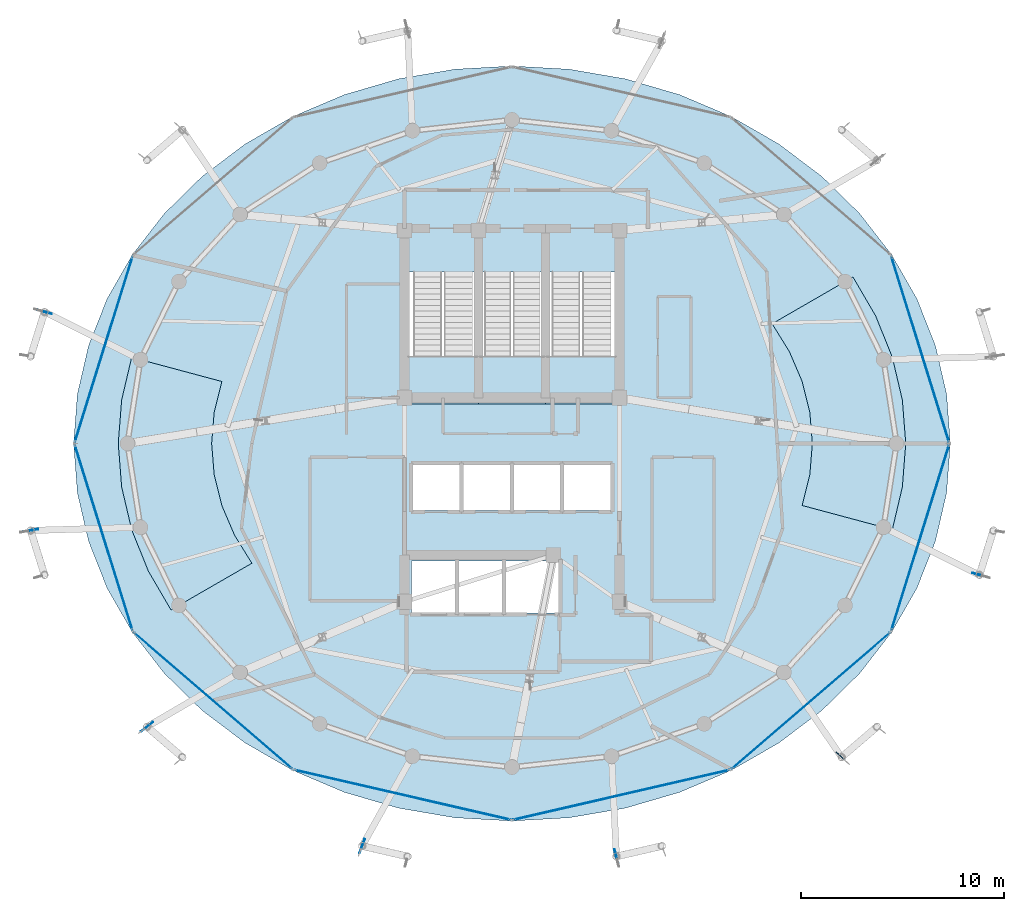
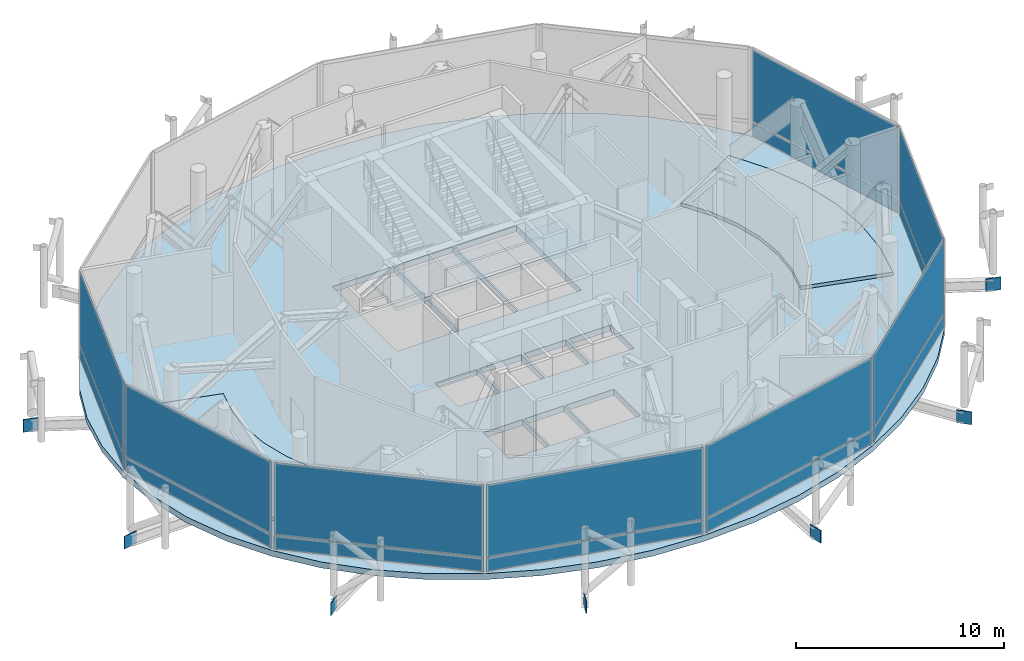
# One storey, part 17 of 26: 23 plates, 6 slabs, 11 elements without a shape of their own.
"""IFC4 building model written with IfcOpenShell, lengths in metres."""

from ifc_helpers import new_model, si_unit, direction, frame, origin, origin_2d, place, context, subcontext, project, spatial, polyline, rectangle, outline, extrude, material, layer, layer_set, type_object, element, aggregate, save


model = new_model("IFC4")

# Units and contexts
model_context = context("Model", 3, precision=1e-05, world=origin(), true_north=direction((0.0, 1.0)))
body_context = subcontext(model_context, "Body", "Model", "MODEL_VIEW")
ifc_project = project(units=[si_unit("LENGTHUNIT", "METRE"), si_unit("AREAUNIT", "SQUARE_METRE"), si_unit("VOLUMEUNIT", "CUBIC_METRE"), si_unit("PLANEANGLEUNIT", "RADIAN"), si_unit("MASSUNIT", "GRAM", prefix="KILO")], contexts=[model_context])

# Site, building, storey
site_placement = place(None, origin())
site = spatial("IfcSite", under=ifc_project, at=site_placement, CompositionType="ELEMENT")
building_placement = place(site_placement, origin())
building = spatial("IfcBuilding", under=site, at=building_placement, Name="Nuhasar Tower", CompositionType="ELEMENT")
storey_placement = place(building_placement, frame((0.0, 0.0, 301.199951171875)))
storey = spatial("IfcBuildingStorey", under=building, at=storey_placement, Name="L75", CompositionType="ELEMENT", Elevation=301.199951171875)

# Curtain wall, plate
ifc_material_1 = material(Name="Aluminium 6063-T6", Category="aluminium")
ifc_layer_1 = layer(ifc_material_1, 0.219970703125)
ifc_layer_set_1 = layer_set([ifc_layer_1], Name="Aluminium 6063-T6")
curtain_wall_type = type_object("IfcCurtainWallType", Name="CW-CROWN", PredefinedType="NOTDEFINED", material=ifc_layer_set_1)
curtain_wall_1_placement = place(storey_placement, origin())
curtain_wall_1 = element("IfcCurtainWall", 1, at=curtain_wall_1_placement, inside=storey, type_object=curtain_wall_type, Name="L75 Unitised Curtain Wall 01", PredefinedType="NOTDEFINED")
ifc_material_2 = material(Name="Glass Double Low-E", Category="glass")
ifc_layer_2 = layer(ifc_material_2, 0.028076171875)
ifc_layer_set_2 = layer_set([ifc_layer_2], Name="Glass Double Low-E")
plate_type_1 = type_object("IfcPlateType", Name="CW-PANEL-GLZ", PredefinedType="CURTAIN_PANEL", material=ifc_layer_set_2)
plate_1_placement = place(storey_placement, frame((59.115966796875, 31.43994140625, 0.93994140625), z_axis=(0.0, 0.0, 1.0), x_axis=(-0.297149939275, 0.954830829827, 0.0)))
plate_1 = element("IfcPlate", 2, at=plate_1_placement, type_object=plate_type_1, Name="CW-CR panel 1.2", PredefinedType="CURTAIN_PANEL", context=body_context, shape_type="SweptSolid", body=[
    extrude(rectangle(XDim=9.55908203125, YDim=0.028076171875, at=origin_2d()), origin(), (0.0, 0.0, 1.0), 4.22998046875),
])

curtain_wall_2_placement = place(storey_placement, origin())
curtain_wall_2 = element("IfcCurtainWall", 3, at=curtain_wall_2_placement, inside=storey, type_object=curtain_wall_type, Name="L75 Unitised Curtain Wall 06", PredefinedType="NOTDEFINED")
plate_2_placement = place(storey_placement, frame((18.884033203125, 31.43994140625, 0.93994140625), z_axis=(0.0, 0.0, 1.0), x_axis=(-0.297149939275, -0.954830829827, 0.0)))
plate_2 = element("IfcPlate", 4, at=plate_2_placement, type_object=plate_type_1, Name="CW-CR panel 1.2", PredefinedType="CURTAIN_PANEL", context=body_context, shape_type="SweptSolid", body=[
    extrude(rectangle(XDim=9.55908203125, YDim=0.028076171875, at=origin_2d()), origin(), (0.0, 0.0, 1.0), 4.22998046875),
])

curtain_wall_3_placement = place(storey_placement, origin())
curtain_wall_3 = element("IfcCurtainWall", 5, at=curtain_wall_3_placement, inside=storey, type_object=curtain_wall_type, Name="L75 Unitised Curtain Wall 07", PredefinedType="NOTDEFINED")
plate_3_placement = place(storey_placement, frame((18.884033203125, 22.159912109375, 0.93994140625), z_axis=(0.0, 0.0, 1.0), x_axis=(0.297149939275, -0.954830829827, 0.0)))
plate_3 = element("IfcPlate", 6, at=plate_3_placement, type_object=plate_type_1, Name="CW-CR panel 1.2", PredefinedType="CURTAIN_PANEL", context=body_context, shape_type="SweptSolid", body=[
    extrude(rectangle(XDim=9.55908203125, YDim=0.028076171875, at=origin_2d()), origin(), (0.0, 0.0, 1.0), 4.22998046875),
])

curtain_wall_4_placement = place(storey_placement, origin())
curtain_wall_4 = element("IfcCurtainWall", 7, at=curtain_wall_4_placement, inside=storey, type_object=curtain_wall_type, Name="L75 Unitised Curtain Wall 08", PredefinedType="NOTDEFINED")
plate_4_placement = place(storey_placement, frame((24.27392578125, 14.12353515625, 0.93994140625), z_axis=(0.0, 0.0, 1.0), x_axis=(0.757905965898, -0.652363814796, 0.0)))
plate_4 = element("IfcPlate", 8, at=plate_4_placement, type_object=plate_type_1, Name="CW-CR panel 1.2", PredefinedType="CURTAIN_PANEL", context=body_context, shape_type="SweptSolid", body=[
    extrude(rectangle(XDim=10.2529296875, YDim=0.028076171875, at=origin_2d()), origin(), (0.0, 0.0, 1.0), 4.22998046875),
])

curtain_wall_5_placement = place(storey_placement, origin())
curtain_wall_5 = element("IfcCurtainWall", 9, at=curtain_wall_5_placement, inside=storey, type_object=curtain_wall_type, Name="L75 Unitised Curtain Wall 09", PredefinedType="NOTDEFINED")
plate_5_placement = place(storey_placement, frame((33.610107421875, 9.4833984375, 0.93994140625), z_axis=(0.0, 0.0, 1.0), x_axis=(0.974404904738, -0.224800092578, 0.0)))
plate_5 = element("IfcPlate", 10, at=plate_5_placement, type_object=plate_type_1, Name="CW-CR panel 1.2", PredefinedType="CURTAIN_PANEL", context=body_context, shape_type="SweptSolid", body=[
    extrude(rectangle(XDim=10.903076171875, YDim=0.028076171875, at=origin_2d()), origin(), (0.0, 0.0, 1.0), 4.22998046875),
])

curtain_wall_6_placement = place(storey_placement, origin())
curtain_wall_6 = element("IfcCurtainWall", 11, at=curtain_wall_6_placement, inside=storey, type_object=curtain_wall_type, Name="L75 Unitised Curtain Wall 10", PredefinedType="NOTDEFINED")
plate_6_placement = place(storey_placement, frame((44.389892578125, 9.4833984375, 0.93994140625), z_axis=(0.0, 0.0, 1.0), x_axis=(0.974404904738, 0.224800092578, 0.0)))
plate_6 = element("IfcPlate", 12, at=plate_6_placement, type_object=plate_type_1, Name="CW-CR panel 1.2", PredefinedType="CURTAIN_PANEL", context=body_context, shape_type="SweptSolid", body=[
    extrude(rectangle(XDim=10.903076171875, YDim=0.028076171875, at=origin_2d()), origin(), (0.0, 0.0, 1.0), 4.22998046875),
])

curtain_wall_7_placement = place(storey_placement, origin())
curtain_wall_7 = element("IfcCurtainWall", 13, at=curtain_wall_7_placement, inside=storey, type_object=curtain_wall_type, Name="L75 Unitised Curtain Wall 11", PredefinedType="NOTDEFINED")
plate_7_placement = place(storey_placement, frame((53.72607421875, 14.12353515625, 0.93994140625), z_axis=(0.0, 0.0, 1.0), x_axis=(0.757905965898, 0.652363814796, 0.0)))
plate_7 = element("IfcPlate", 14, at=plate_7_placement, type_object=plate_type_1, Name="CW-CR panel 1.2", PredefinedType="CURTAIN_PANEL", context=body_context, shape_type="SweptSolid", body=[
    extrude(rectangle(XDim=10.2529296875, YDim=0.028076171875, at=origin_2d()), origin(), (0.0, 0.0, 1.0), 4.22998046875),
])

curtain_wall_8_placement = place(storey_placement, origin())
curtain_wall_8 = element("IfcCurtainWall", 15, at=curtain_wall_8_placement, inside=storey, type_object=curtain_wall_type, Name="L75 Unitised Curtain Wall 12", PredefinedType="NOTDEFINED")
plate_8_placement = place(storey_placement, frame((59.115966796875, 22.159912109375, 0.93994140625), z_axis=(0.0, 0.0, 1.0), x_axis=(0.297149939275, 0.954830829827, 0.0)))
plate_8 = element("IfcPlate", 16, at=plate_8_placement, type_object=plate_type_1, Name="CW-CR panel 1.2", PredefinedType="CURTAIN_PANEL", context=body_context, shape_type="SweptSolid", body=[
    extrude(rectangle(XDim=9.55908203125, YDim=0.028076171875, at=origin_2d()), origin(), (0.0, 0.0, 1.0), 4.22998046875),
])

# Plate
ifc_material_3 = material(Name="Glass Spandrel", Category="glass")
ifc_layer_3 = layer(ifc_material_3, 0.035888671875)
ifc_layer_set_3 = layer_set([ifc_layer_3], Name="Glass Spandrel")
plate_type_2 = type_object("IfcPlateType", Name="CW-PANEL-SPN", PredefinedType="CURTAIN_PANEL", material=ifc_layer_set_3)
plate_9_placement = place(storey_placement, frame((59.115966796875, 31.43994140625, 0.080078125), z_axis=(0.0, 0.0, 1.0), x_axis=(-0.297149939275, 0.954830829827, 0.0)))
plate_9 = element("IfcPlate", 17, at=plate_9_placement, type_object=plate_type_2, Name="CW-CR panel 1.1", PredefinedType="CURTAIN_PANEL", context=body_context, shape_type="SweptSolid", body=[
    extrude(rectangle(XDim=9.55908203125, YDim=0.035888671875, at=origin_2d()), origin(), (0.0, 0.0, 1.0), 0.780029296875),
])

aggregate(curtain_wall_1, [plate_9, plate_1])

plate_10_placement = place(storey_placement, frame((18.884033203125, 31.43994140625, 0.080078125), z_axis=(0.0, 0.0, 1.0), x_axis=(-0.297149939275, -0.954830829827, 0.0)))
plate_10 = element("IfcPlate", 18, at=plate_10_placement, type_object=plate_type_2, Name="CW-CR panel 1.1", PredefinedType="CURTAIN_PANEL", context=body_context, shape_type="SweptSolid", body=[
    extrude(rectangle(XDim=9.55908203125, YDim=0.035888671875, at=origin_2d()), origin(), (0.0, 0.0, 1.0), 0.780029296875),
])

aggregate(curtain_wall_2, [plate_10, plate_2])

plate_11_placement = place(storey_placement, frame((18.884033203125, 22.159912109375, 0.080078125), z_axis=(0.0, 0.0, 1.0), x_axis=(0.297149939275, -0.954830829827, 0.0)))
plate_11 = element("IfcPlate", 19, at=plate_11_placement, type_object=plate_type_2, Name="CW-CR panel 1.1", PredefinedType="CURTAIN_PANEL", context=body_context, shape_type="SweptSolid", body=[
    extrude(rectangle(XDim=9.55908203125, YDim=0.035888671875, at=origin_2d()), origin(), (0.0, 0.0, 1.0), 0.780029296875),
])

aggregate(curtain_wall_3, [plate_11, plate_3])

plate_12_placement = place(storey_placement, frame((24.27392578125, 14.12353515625, 0.080078125), z_axis=(0.0, 0.0, 1.0), x_axis=(0.757905965898, -0.652363814796, 0.0)))
plate_12 = element("IfcPlate", 20, at=plate_12_placement, type_object=plate_type_2, Name="CW-CR panel 1.1", PredefinedType="CURTAIN_PANEL", context=body_context, shape_type="SweptSolid", body=[
    extrude(rectangle(XDim=10.2529296875, YDim=0.035888671875, at=origin_2d()), origin(), (0.0, 0.0, 1.0), 0.780029296875),
])

aggregate(curtain_wall_4, [plate_12, plate_4])

plate_13_placement = place(storey_placement, frame((33.610107421875, 9.4833984375, 0.080078125), z_axis=(0.0, 0.0, 1.0), x_axis=(0.974404904738, -0.224800092578, 0.0)))
plate_13 = element("IfcPlate", 21, at=plate_13_placement, type_object=plate_type_2, Name="CW-CR panel 1.1", PredefinedType="CURTAIN_PANEL", context=body_context, shape_type="SweptSolid", body=[
    extrude(rectangle(XDim=10.903076171875, YDim=0.035888671875, at=origin_2d()), origin(), (0.0, 0.0, 1.0), 0.780029296875),
])

aggregate(curtain_wall_5, [plate_13, plate_5])

plate_14_placement = place(storey_placement, frame((44.389892578125, 9.4833984375, 0.080078125), z_axis=(0.0, 0.0, 1.0), x_axis=(0.974404904738, 0.224800092578, 0.0)))
plate_14 = element("IfcPlate", 22, at=plate_14_placement, type_object=plate_type_2, Name="CW-CR panel 1.1", PredefinedType="CURTAIN_PANEL", context=body_context, shape_type="SweptSolid", body=[
    extrude(rectangle(XDim=10.903076171875, YDim=0.035888671875, at=origin_2d()), origin(), (0.0, 0.0, 1.0), 0.780029296875),
])

aggregate(curtain_wall_6, [plate_14, plate_6])

plate_15_placement = place(storey_placement, frame((53.72607421875, 14.12353515625, 0.080078125), z_axis=(0.0, 0.0, 1.0), x_axis=(0.757905965898, 0.652363814796, 0.0)))
plate_15 = element("IfcPlate", 23, at=plate_15_placement, type_object=plate_type_2, Name="CW-CR panel 1.1", PredefinedType="CURTAIN_PANEL", context=body_context, shape_type="SweptSolid", body=[
    extrude(rectangle(XDim=10.2529296875, YDim=0.035888671875, at=origin_2d()), origin(), (0.0, 0.0, 1.0), 0.780029296875),
])

aggregate(curtain_wall_7, [plate_15, plate_7])

plate_16_placement = place(storey_placement, frame((59.115966796875, 22.159912109375, 0.080078125), z_axis=(0.0, 0.0, 1.0), x_axis=(0.297149939275, 0.954830829827, 0.0)))
plate_16 = element("IfcPlate", 24, at=plate_16_placement, type_object=plate_type_2, Name="CW-CR panel 1.1", PredefinedType="CURTAIN_PANEL", context=body_context, shape_type="SweptSolid", body=[
    extrude(rectangle(XDim=9.55908203125, YDim=0.035888671875, at=origin_2d()), origin(), (0.0, 0.0, 1.0), 0.780029296875),
])

aggregate(curtain_wall_8, [plate_16, plate_8])

# Plates
ifc_material_4 = material(Name="Steel S460", Category="steel")
ifc_layer_4 = layer(ifc_material_4, 0.0400390625)
ifc_layer_set_4 = layer_set([ifc_layer_4], Name="Steel S460")
plate_type_3 = type_object("IfcPlateType", Name="PLT-GUSSET-40", PredefinedType="SHEET", material=ifc_layer_set_4)
for number, where, z_axis, x_axis, name in (
    (25, (15.967041015625, 33.281005859375, -1.030029296875), (0.0, 0.0, 1.0), (-0.962620870405, 0.27085246881, 0.0), "L75 Bronze Diagrid Gusset Node Plate 06"),
    (26, (15.281982421875, 22.513916015625, -1.030029296875), (0.0, 0.0, 1.0), (-0.984062430207, -0.177823320895, 0.0), "L75 Bronze Diagrid Gusset Node Plate 07"),
    (27, (21.01611328125, 12.842041015625, -1.030029296875), (0.0, 0.0, 1.0), (-0.789983825631, -0.613127682657, 0.0), "L75 Bronze Diagrid Gusset Node Plate 08"),
    (28, (31.615966796875, 6.967041015625, -1.030029296875), (0.0, 0.0, 1.0), (-0.348915555693, -0.937154168211, 0.0), "L75 Bronze Diagrid Gusset Node Plate 09"),
    (29, (44.14306640625, 6.450927734375, -1.030029296875), (0.0, 0.0, 1.0), (0.245036656105, -0.96951381484, 0.0), "L75 Bronze Diagrid Gusset Node Plate 10"),
    (30, (55.239990234375, 11.343017578125, -1.030029296875), (0.0, 0.0, 1.0), (0.724352378593, -0.689429932355, 0.0), "L75 Bronze Diagrid Gusset Node Plate 11"),
    (31, (62.032958984375, 20.319091796875, -1.030029296875), (0.0, 0.0, 1.0), (0.962620870405, -0.27085246881, 0.0), "L75 Bronze Diagrid Gusset Node Plate 12"),
):
    element("IfcPlate", number, at=place(storey_placement, frame(where, z_axis=z_axis, x_axis=x_axis)), inside=storey, type_object=plate_type_3, Name=name, PredefinedType="SHEET", context=body_context, shape_type="SweptSolid", body=[
        extrude(rectangle(XDim=0.75, YDim=0.0400390625, at=origin_2d()), origin(), (0.0, 0.0, 1.0), 0.75),
    ])

# Slabs
ifc_material_5 = material(Name="Concrete C60/75", Category="concrete")
ifc_layer_5 = layer(ifc_material_5, 0.35009765625)
ifc_layer_set_5 = layer_set([ifc_layer_5], Name="Concrete C60/75")
slab_type_1 = type_object("IfcSlabType", Name="SLB-OUT-350", PredefinedType="FLOOR", material=ifc_layer_set_5)
slab_1_placement = place(storey_placement, frame((0.0, 0.0, -0.349853515625)))
element("IfcSlab", 32, at=slab_1_placement, inside=storey, type_object=slab_type_1, Name="L75 Structural Slab", PredefinedType="FLOOR", context=body_context, shape_type="SweptSolid", body=[
    extrude(outline(polyline([(60.60009765625, 26.800048828125), (60.4150390625, 29.22802734375), (59.864013671875, 31.614013671875), (58.9560546875, 33.91796875), (57.7060546875, 36.10009765625), (56.135986328125, 38.123046875), (54.27392578125, 39.951904296875), (52.14892578125, 41.555908203125), (49.800048828125, 42.907958984375), (47.26611328125, 43.98388671875), (44.590087890625, 44.76611328125), (41.819091796875, 45.240966796875), (39.0, 45.39990234375), (36.180908203125, 45.240966796875), (33.409912109375, 44.76611328125), (30.73388671875, 43.98388671875), (28.199951171875, 42.907958984375), (25.85107421875, 41.555908203125), (23.72607421875, 39.951904296875), (21.864013671875, 38.123046875), (20.2939453125, 36.10009765625), (19.0439453125, 33.91796875), (18.135986328125, 31.614013671875), (17.5849609375, 29.22802734375), (17.39990234375, 26.800048828125), (17.5849609375, 24.3720703125), (18.135986328125, 21.986083984375), (19.0439453125, 19.681884765625), (20.2939453125, 17.5), (21.864013671875, 15.47705078125), (23.72607421875, 13.64794921875), (25.85107421875, 12.0439453125), (28.199951171875, 10.69189453125), (30.73388671875, 9.615966796875), (33.409912109375, 8.833984375), (36.180908203125, 8.35888671875), (39.0, 8.199951171875), (41.819091796875, 8.35888671875), (44.590087890625, 8.833984375), (47.26611328125, 9.615966796875), (49.800048828125, 10.69189453125), (52.14892578125, 12.0439453125), (54.27392578125, 13.64794921875), (56.135986328125, 15.47705078125), (57.7060546875, 17.5), (58.9560546875, 19.681884765625), (59.864013671875, 21.986083984375), (60.4150390625, 24.3720703125), (60.60009765625, 26.800048828125)]), holes=[polyline([(33.8798828125, 35.25), (37.300048828125, 35.25), (37.300048828125, 29.0), (33.8798828125, 29.0), (33.8798828125, 35.25)]), polyline([(37.39990234375, 35.25), (40.60009765625, 35.25), (40.60009765625, 29.0), (37.39990234375, 29.0), (37.39990234375, 35.25)]), polyline([(40.699951171875, 35.25), (44.1201171875, 35.25), (44.1201171875, 29.0), (40.699951171875, 29.0), (40.699951171875, 35.25)]), polyline([(34.10009765625, 25.75), (36.43994140625, 25.75), (36.43994140625, 23.5), (34.10009765625, 23.5), (34.10009765625, 25.75)]), polyline([(36.580078125, 25.75), (38.919921875, 25.75), (38.919921875, 23.5), (36.580078125, 23.5), (36.580078125, 25.75)]), polyline([(39.06005859375, 25.75), (41.39990234375, 25.75), (41.39990234375, 23.5), (39.06005859375, 23.5), (39.06005859375, 25.75)]), polyline([(41.5400390625, 25.75), (43.8798828125, 25.75), (43.8798828125, 23.5), (41.5400390625, 23.5), (41.5400390625, 25.75)]), polyline([(34.050048828125, 21.0), (36.25, 21.0), (36.25, 18.449951171875), (34.050048828125, 18.449951171875), (34.050048828125, 21.0)]), polyline([(36.35009765625, 21.0), (38.550048828125, 21.0), (38.550048828125, 18.449951171875), (36.35009765625, 18.449951171875), (36.35009765625, 21.0)]), polyline([(38.64990234375, 21.0), (41.320068359375, 21.0), (41.320068359375, 18.449951171875), (38.64990234375, 18.449951171875), (38.64990234375, 21.0)])]), origin(), (0.0, 0.0, 1.0), 0.349853515625),
])
ifc_material_6 = material(Name="Concrete C50/60", Category="concrete")
ifc_layer_6 = layer(ifc_material_6, 0.199951171875)
ifc_layer_set_6 = layer_set([ifc_layer_6], Name="Concrete C50/60")
slab_type_2 = type_object("IfcSlabType", Name="SLB-PLN-200", PredefinedType="BASESLAB", material=ifc_layer_set_6)
slab_2_placement = place(storey_placement, origin())
element("IfcSlab", 33, at=slab_2_placement, inside=storey, type_object=slab_type_2, Name="L75 Mechanical Plant Plinth Slab East", PredefinedType="BASESLAB", context=body_context, shape_type="SweptSolid", body=[
    extrude(outline(polyline([(57.739013671875, 22.554931640625), (58.23388671875, 24.658935546875), (58.39990234375, 26.800048828125), (58.23388671875, 28.94091796875), (57.739013671875, 31.044921875), (56.923095703125, 33.075927734375), (55.801025390625, 35.0), (51.81689453125, 32.699951171875), (52.673095703125, 31.31591796875), (53.2958984375, 29.85400390625), (53.673095703125, 28.340087890625), (53.800048828125, 26.800048828125), (53.673095703125, 25.260009765625), (53.2958984375, 23.74609375), (57.739013671875, 22.554931640625)])), origin(), (0.0, 0.0, 1.0), 0.199951171875),
])
slab_3_placement = place(storey_placement, origin())
element("IfcSlab", 34, at=slab_3_placement, inside=storey, type_object=slab_type_2, Name="L75 Mechanical Plant Plinth Slab West", PredefinedType="BASESLAB", context=body_context, shape_type="SweptSolid", body=[
    extrude(outline(polyline([(20.260986328125, 31.044921875), (19.76611328125, 28.94091796875), (19.60009765625, 26.800048828125), (19.76611328125, 24.658935546875), (20.260986328125, 22.554931640625), (21.076904296875, 20.52392578125), (22.198974609375, 18.60009765625), (26.18310546875, 20.89990234375), (25.326904296875, 22.283935546875), (24.7041015625, 23.74609375), (24.326904296875, 25.260009765625), (24.199951171875, 26.800048828125), (24.326904296875, 28.340087890625), (24.7041015625, 29.85400390625), (20.260986328125, 31.044921875)])), origin(), (0.0, 0.0, 1.0), 0.199951171875),
])

# Stair, slab
ifc_material_7 = material(Name="Concrete C45/55", Category="concrete")
stair_type_1 = type_object("IfcStairType", Name="STR-ST-01-2F-32R-1750", PredefinedType="HALF_TURN_STAIR", material=ifc_material_7)
stair_1_placement = place(storey_placement, origin())
stair_1 = element("IfcStair", 35, at=stair_1_placement, inside=storey, type_object=stair_type_1, Name="L75 Exit Stair ST-01", PredefinedType="HALF_TURN_STAIR")
ifc_layer_7 = layer(ifc_material_7, 0.239990234375)
ifc_layer_set_7 = layer_set([ifc_layer_7], Name="Concrete C45/55")
slab_type_3 = type_object("IfcSlabType", Name="SLB-STAIR-LND-240", PredefinedType="LANDING", material=ifc_layer_set_7)
slab_4_placement = place(storey_placement, frame((0.0, 0.0, 2.56005859375)))
slab_4 = element("IfcSlab", 36, at=slab_4_placement, type_object=slab_type_3, Name="ST-01 landing 1", PredefinedType="LANDING", context=body_context, shape_type="SweptSolid", body=[
    extrude(outline(polyline([(33.699951171875, 28.75), (37.35009765625, 28.75), (37.35009765625, 31.1201171875), (33.699951171875, 31.1201171875), (33.699951171875, 28.75)])), origin(), (0.0, 0.0, 1.0), 0.239990234375),
])
aggregate(stair_1, [slab_4])

stair_type_2 = type_object("IfcStairType", Name="STR-ST-03-2F-32R-1750", PredefinedType="HALF_TURN_STAIR", material=ifc_material_7)
stair_2_placement = place(storey_placement, origin())
stair_2 = element("IfcStair", 37, at=stair_2_placement, inside=storey, type_object=stair_type_2, Name="L75 Exit Stair ST-03", PredefinedType="HALF_TURN_STAIR")
slab_5_placement = place(storey_placement, frame((0.0, 0.0, 2.56005859375)))
slab_5 = element("IfcSlab", 38, at=slab_5_placement, type_object=slab_type_3, Name="ST-03 landing 1", PredefinedType="LANDING", context=body_context, shape_type="SweptSolid", body=[
    extrude(outline(polyline([(37.35009765625, 28.75), (40.64990234375, 28.75), (40.64990234375, 31.1201171875), (37.35009765625, 31.1201171875), (37.35009765625, 28.75)])), origin(), (0.0, 0.0, 1.0), 0.239990234375),
])
aggregate(stair_2, [slab_5])

stair_type_3 = type_object("IfcStairType", Name="STR-ST-02-2F-32R-1750", PredefinedType="HALF_TURN_STAIR", material=ifc_material_7)
stair_3_placement = place(storey_placement, origin())
stair_3 = element("IfcStair", 39, at=stair_3_placement, inside=storey, type_object=stair_type_3, Name="L75 Exit Stair ST-02", PredefinedType="HALF_TURN_STAIR")
slab_6_placement = place(storey_placement, frame((0.0, 0.0, 2.56005859375)))
slab_6 = element("IfcSlab", 40, at=slab_6_placement, type_object=slab_type_3, Name="ST-02 landing 1", PredefinedType="LANDING", context=body_context, shape_type="SweptSolid", body=[
    extrude(outline(polyline([(40.64990234375, 28.75), (44.300048828125, 28.75), (44.300048828125, 31.1201171875), (40.64990234375, 31.1201171875), (40.64990234375, 28.75)])), origin(), (0.0, 0.0, 1.0), 0.239990234375),
])
aggregate(stair_3, [slab_6])

save(model, "model.ifc")
